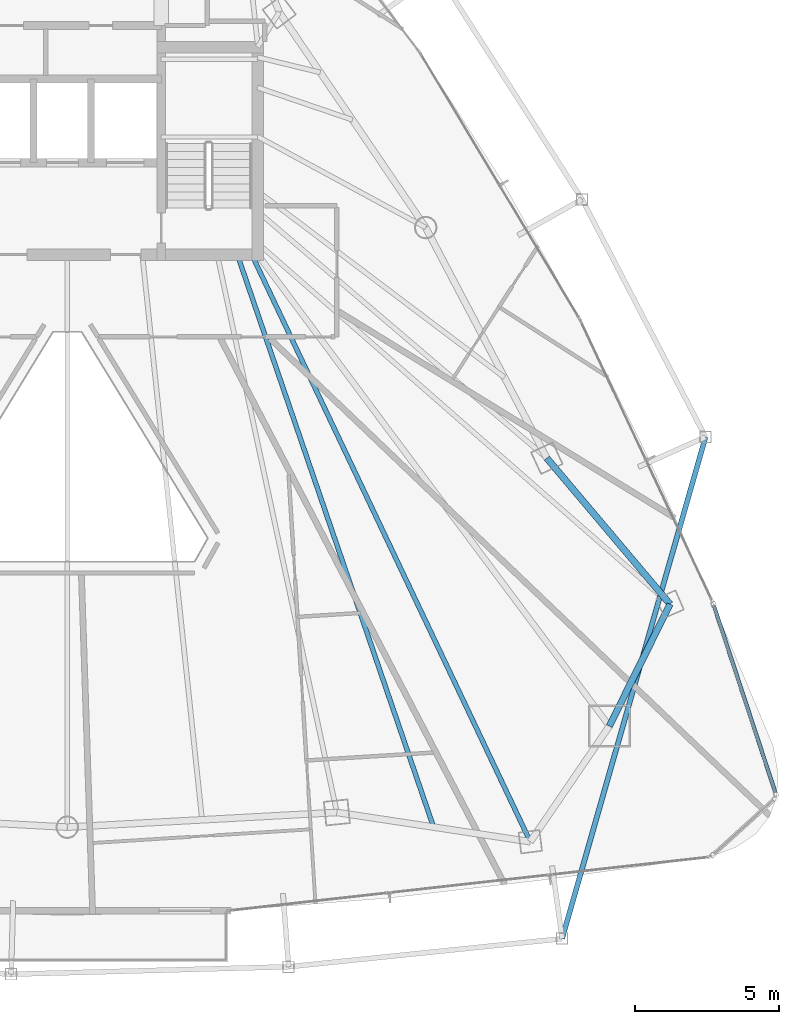
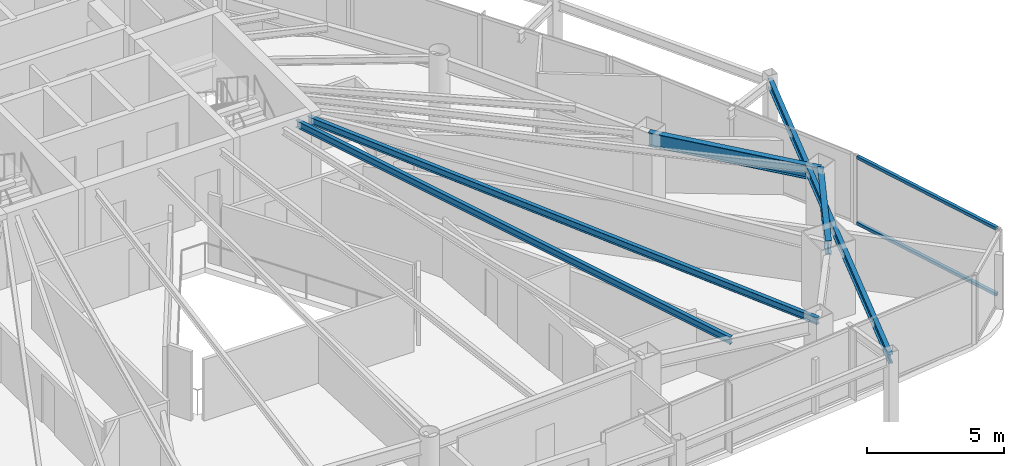
# One storey, part 14 of 29: 5 beams, 2 members, 1 element without a shape of its own.
"""IFC4 building model written with IfcOpenShell, lengths in metres."""

import ifcopenshell
import ifcopenshell.guid

model = None  # the IFC model being written
_history = None  # IfcOwnerHistory: only IFC2X3 demands one
_inside = {}  # id of a spatial element -> (the spatial element, [elements in it])
_under = {}  # id of a project, library or spatial element -> (it, [spatial elements below it])
_declared = {}  # id of a project -> (the project, [libraries it declares])
_typed = {}  # id of a type object -> (the type object, [elements of that type])
_made_of = {}  # id of a material, layer set ... -> (it, [elements and type objects made of it])


def new_model(schema):
    """Start an empty IFC model of exactly this schema.

    Asked for "IFC4X3", IfcOpenShell would pick the latest addendum, in which some entities
    have other attributes; the version numbers below select the first issue.
    IFC2X3 requires an IfcOwnerHistory on every rooted entity: one is made here for all.
    """
    global model, _history
    if schema == "IFC4X3":
        model = ifcopenshell.file(schema_version=(4, 3, 0, 0))
    else:
        model = ifcopenshell.file(schema=schema)
    _inside.clear()
    _under.clear()
    _declared.clear()
    _typed.clear()
    _made_of.clear()
    _history = None
    if model.schema == "IFC2X3":
        org = make("IfcOrganization", Name="unknown")
        user = make(
            "IfcPersonAndOrganization",
            ThePerson=make("IfcPerson", FamilyName="unknown"),
            TheOrganization=org,
        )
        app = make(
            "IfcApplication",
            ApplicationDeveloper=org,
            Version="unknown",
            ApplicationFullName="unknown",
            ApplicationIdentifier="unknown",
        )
        _history = make(
            "IfcOwnerHistory",
            OwningUser=user,
            OwningApplication=app,
            ChangeAction="ADDED",
            CreationDate=0,
        )
    return model


def make(cls, **values):
    """One entity of the class cls with the attributes given. An attribute that is None is left unset."""
    return model.create_entity(
        cls, **{name: value for name, value in values.items() if value is not None}
    )


def rooted(cls, **values):
    """An entity with a GlobalId (a new one), such as an element, a storey or a relation."""
    return make(cls, GlobalId=ifcopenshell.guid.new(), OwnerHistory=_history, **values)


def si_unit(unit_type, name, prefix=None):
    """IfcSIUnit, for example si_unit("LENGTHUNIT", "METRE", prefix="MILLI")."""
    return make("IfcSIUnit", UnitType=unit_type, Prefix=prefix, Name=name)


def assignment(units):
    """IfcUnitAssignment: the units of a project."""
    return None if units is None else make("IfcUnitAssignment", Units=units)


def point(xyz):
    """IfcCartesianPoint."""
    return None if xyz is None else make("IfcCartesianPoint", Coordinates=xyz)


def direction(xyz):
    """IfcDirection."""
    return None if xyz is None else make("IfcDirection", DirectionRatios=xyz)


def frame(location, z_axis=None, x_axis=None):
    """IfcAxis2Placement3D, a coordinate frame: its origin and axes. An axis left out is left unset."""
    return make(
        "IfcAxis2Placement3D",
        Location=point(location),
        Axis=direction(z_axis),
        RefDirection=direction(x_axis),
    )


def frame_2d(location, x_axis=None):
    """IfcAxis2Placement2D, a coordinate frame in the plane: its origin and x axis."""
    return make(
        "IfcAxis2Placement2D", Location=point(location), RefDirection=direction(x_axis)
    )


def origin():
    """The frame at (0, 0, 0) with its axes left unset."""
    return frame((0.0, 0.0, 0.0))


def origin_2d():
    """The frame at (0, 0) in the plane with its x axis left unset."""
    return frame_2d((0.0, 0.0))


def place(relative_to, where):
    """IfcLocalPlacement: puts the frame where relative to a parent placement (None: the world)."""
    return make(
        "IfcLocalPlacement", PlacementRelTo=relative_to, RelativePlacement=where
    )


def context(
    kind, dimensions, precision=None, world=None, true_north=None, identifier=None
):
    """IfcGeometricRepresentationContext, for example the 3D "Model" context."""
    return make(
        "IfcGeometricRepresentationContext",
        ContextIdentifier=identifier,
        ContextType=kind,
        CoordinateSpaceDimension=dimensions,
        Precision=precision,
        WorldCoordinateSystem=world,
        TrueNorth=true_north,
    )


def subcontext(parent, identifier, kind, view, scale=None):
    """IfcGeometricRepresentationSubContext, for example "Body" below "Model"."""
    return make(
        "IfcGeometricRepresentationSubContext",
        ContextIdentifier=identifier,
        ContextType=kind,
        ParentContext=parent,
        TargetScale=scale,
        TargetView=view,
    )


def project(units=None, contexts=None):
    """IfcProject with its units and contexts."""
    return rooted(
        "IfcProject",
        Name="project",
        RepresentationContexts=contexts,
        UnitsInContext=assignment(units),
    )


def spatial(cls, under=None, at=None, **own):
    """A site, building, storey or space (cls), placed at a placement, below another one or the project."""
    s = rooted(cls, ObjectPlacement=at, **own)
    if under is not None:
        _under.setdefault(under.id(), (under, []))[1].append(s)
    return s


def profile(cls, at=None, kind="AREA", **sizes):
    """A parametric profile (cls). Its sizes go by their IFC names, for example OverallWidth=200.0."""
    return make(cls, ProfileType=kind, Position=at, **sizes)


def hollow_rectangle(**sizes):
    """IfcRectangleHollowProfileDef."""
    return profile("IfcRectangleHollowProfileDef", **sizes)


def i_section(**sizes):
    """IfcIShapeProfileDef."""
    return profile("IfcIShapeProfileDef", **sizes)


def extrude(swept, where, along, depth):
    """IfcExtrudedAreaSolid: the profile swept, set in the frame where, extruded along a direction by depth."""
    return make(
        "IfcExtrudedAreaSolid",
        SweptArea=swept,
        Position=where,
        ExtrudedDirection=direction(along),
        Depth=depth,
    )


def shape(context_of_items, identifier, shape_type, items):
    """IfcShapeRepresentation: the items that make up one representation, for example the "Body"."""
    return make(
        "IfcShapeRepresentation",
        ContextOfItems=context_of_items,
        RepresentationIdentifier=identifier,
        RepresentationType=shape_type,
        Items=items,
    )


def material(Name=None, Category=None):
    """IfcMaterial."""
    return make("IfcMaterial", Name=Name, Category=Category)


def layer(
    of_material, thickness, ventilated=None, Name=None, Category=None, Priority=None
):
    """IfcMaterialLayer: one layer of a wall or slab, of a material (None: an air gap)."""
    return make(
        "IfcMaterialLayer",
        Material=of_material,
        LayerThickness=thickness,
        IsVentilated=ventilated,
        Name=Name,
        Category=Category,
        Priority=Priority,
    )


def layer_set(layers, Name=None):
    """IfcMaterialLayerSet."""
    return make("IfcMaterialLayerSet", MaterialLayers=layers, LayerSetName=Name)


def material_profile(
    of_material, cross_section, Name=None, Category=None, Priority=None
):
    """IfcMaterialProfile: a cross section and its material."""
    return make(
        "IfcMaterialProfile",
        Name=Name,
        Material=of_material,
        Profile=cross_section,
        Priority=Priority,
        Category=Category,
    )


def profile_set(profiles, Name=None, composite=None):
    """IfcMaterialProfileSet."""
    return make(
        "IfcMaterialProfileSet",
        Name=Name,
        MaterialProfiles=profiles,
        CompositeProfile=composite,
    )


def made_of(thing, what):
    """Note that an element or type object is made of a material, layer set ...; save() writes the relation."""
    if what is not None:
        _made_of.setdefault(what.id(), (what, []))[1].append(thing)
    return thing


def type_object(cls, material=None, **own):
    """A type object (cls), such as IfcWallType, which elements share."""
    return made_of(rooted(cls, **own), material)


def element(
    cls,
    number,
    at=None,
    inside=None,
    cuts=None,
    type_object=None,
    material=None,
    context=None,
    identifier="Body",
    shape_type=None,
    held_by="IfcProductDefinitionShape",
    body=None,
    shapes=None,
    **own,
):
    """One element of the class cls, such as IfcWall. Its Tag is "e" and its number.

    at: its placement. inside: the storey or other place that contains it. cuts: it is an
    opening in that element (IfcRelVoidsElement). A single representation is given by context,
    identifier, shape_type and body (its items); several are given by shapes. held_by: the class
    of the entity that holds the representations. save() writes the other relations.
    """
    e = rooted(cls, Tag="e%d" % number, ObjectPlacement=at, **own)
    if body is not None:
        shapes = [shape(context, identifier, shape_type, body)]
    if shapes is not None:
        e.Representation = make(held_by, Representations=shapes)
    if inside is not None:
        _inside.setdefault(inside.id(), (inside, []))[1].append(e)
    if cuts is not None:
        rooted(
            "IfcRelVoidsElement", RelatingBuildingElement=cuts, RelatedOpeningElement=e
        )
    if type_object is not None:
        _typed.setdefault(type_object.id(), (type_object, []))[1].append(e)
    return made_of(e, material)


def aggregate(whole, parts):
    """IfcRelAggregates: a whole, such as a stair, and the parts it consists of."""
    return rooted("IfcRelAggregates", RelatingObject=whole, RelatedObjects=parts)


def save(model, path):
    """Write the relations noted so far, then the file.

    IfcRelAggregates (storeys below a building ...), IfcRelContainedInSpatialStructure (elements
    in a storey), IfcRelDefinesByType, IfcRelAssociatesMaterial and IfcRelDeclares: one each for
    every whole, place, type object, material and project.
    """
    for whole, parts in _under.values():
        aggregate(whole, parts)
    for where, things in _inside.values():
        rooted(
            "IfcRelContainedInSpatialStructure",
            RelatedElements=things,
            RelatingStructure=where,
        )
    for kind, things in _typed.values():
        rooted("IfcRelDefinesByType", RelatedObjects=things, RelatingType=kind)
    for what, things in _made_of.values():
        rooted("IfcRelAssociatesMaterial", RelatedObjects=things, RelatingMaterial=what)
    for by, libraries in _declared.values():
        rooted("IfcRelDeclares", RelatingContext=by, RelatedDefinitions=libraries)
    model.write(path)


model = new_model("IFC4")

# Units and contexts
model_context = context("Model", 3, precision=1e-05, world=origin(), true_north=direction((0.0, 1.0)))
body_context = subcontext(model_context, "Body", "Model", "MODEL_VIEW")
ifc_project = project(units=[si_unit("LENGTHUNIT", "METRE"), si_unit("AREAUNIT", "SQUARE_METRE"), si_unit("VOLUMEUNIT", "CUBIC_METRE"), si_unit("PLANEANGLEUNIT", "RADIAN"), si_unit("MASSUNIT", "GRAM", prefix="KILO")], contexts=[model_context])

# Site, building, storey
site_placement = place(None, origin())
site = spatial("IfcSite", under=ifc_project, at=site_placement, CompositionType="ELEMENT")
building_placement = place(site_placement, origin())
building = spatial("IfcBuilding", under=site, at=building_placement, Name="Orvanel Arch Residences", CompositionType="ELEMENT")
storey_placement = place(building_placement, frame((0.0, 0.0, 173.75)))
storey = spatial("IfcBuildingStorey", under=building, at=storey_placement, Name="L49", CompositionType="ELEMENT", Elevation=173.75)

# Beams
ifc_material_1 = material(Name="Structural steel AS/NZS 3679.1 Grade 300 (300 MPa)", Category="steel")
ifc_material_profile_1 = material_profile(ifc_material_1, i_section(OverallWidth=0.1650390625, OverallDepth=0.303955078125, WebThickness=0.006103515625, FlangeThickness=0.01025390625, at=origin_2d()), Name="310UB40.4")
ifc_profile_set_1 = profile_set([ifc_material_profile_1], Name="Structural steel AS/NZS 3679.1 Grade 300 (300 MPa)")
beam_type_1 = type_object("IfcBeamType", Name="BJ-310UB", PredefinedType="JOIST", material=ifc_profile_set_1)
beam_1_placement = place(storey_placement, frame((39.39990234375, 26.699951171875, 2.907958984375), z_axis=(0.428614365266, -0.903487534993, 0.0), x_axis=(0.903487534993, 0.428614365266, 0.0)))
element("IfcBeam", 1, at=beam_1_placement, inside=storey, type_object=beam_type_1, Name="L49 MSE Wing Floor Joist", PredefinedType="JOIST", context=body_context, shape_type="SweptSolid", body=[
    extrude(i_section(OverallWidth=0.1650390625, OverallDepth=0.303955078125, WebThickness=0.006103515625, FlangeThickness=0.01025390625, at=origin_2d()), origin(), (0.0, 0.0, 1.0), 22.535888671875),
])
beam_2_placement = place(storey_placement, frame((38.89990234375, 26.699951171875, 2.907958984375), z_axis=(0.324257108963, -0.945968988544, 0.0), x_axis=(0.945968988544, 0.324257108963, 0.0)))
element("IfcBeam", 2, at=beam_2_placement, inside=storey, type_object=beam_type_1, Name="L49 JADD2 Wing Floor Joist", PredefinedType="JOIST", context=body_context, shape_type="SweptSolid", body=[
    extrude(i_section(OverallWidth=0.1650390625, OverallDepth=0.303955078125, WebThickness=0.006103515625, FlangeThickness=0.01025390625, at=origin_2d()), origin(), (0.0, 0.0, 1.0), 20.987060546875),
])
ifc_material_profile_2 = material_profile(ifc_material_1, i_section(OverallWidth=0.177978515625, OverallDepth=0.406005859375, WebThickness=0.0078125, FlangeThickness=0.0126953125, at=origin_2d()), Name="410UB59.7")
ifc_profile_set_2 = profile_set([ifc_material_profile_2], Name="Structural steel AS/NZS 3679.1 Grade 300 (300 MPa)")
beam_type_2 = type_object("IfcBeamType", Name="OB-410UB-EXT", PredefinedType="SPANDREL", material=ifc_profile_set_2)
beam_3_placement = place(storey_placement, frame((50.1630859375, 2.97705078125, 2.85693359375), z_axis=(0.274812004582, 0.961497978229, 0.0), x_axis=(-0.961497978229, 0.274812004582, 0.0)))
element("IfcBeam", 3, at=beam_3_placement, inside=storey, type_object=beam_type_2, Name="L49 Outer Perimeter Floor Ring Beam 08", PredefinedType="SPANDREL", context=body_context, shape_type="SweptSolid", body=[
    extrude(i_section(OverallWidth=0.177978515625, OverallDepth=0.406005859375, WebThickness=0.0078125, FlangeThickness=0.0126953125, at=origin_2d()), origin(), (0.0, 0.0, 1.0), 18.095703125),
])
ifc_material_profile_3 = material_profile(ifc_material_1, i_section(OverallWidth=0.22900390625, OverallDepth=0.612060546875, WebThickness=0.011962890625, FlangeThickness=0.01953125, at=origin_2d()), Name="610UB125")
ifc_profile_set_3 = profile_set([ifc_material_profile_3], Name="Structural steel AS/NZS 3679.1 Grade 300 (300 MPa)")
beam_type_3 = type_object("IfcBeamType", Name="SP-610UB", PredefinedType="SPANDREL", material=ifc_profile_set_3)
beam_4_placement = place(storey_placement, frame((51.801025390625, 10.35107421875, 2.75390625), z_axis=(0.44543469453, 0.895314432425, 0.0), x_axis=(-0.895314432425, 0.44543469453, 0.0)))
element("IfcBeam", 4, at=beam_4_placement, inside=storey, type_object=beam_type_3, Name="L49 Perimeter Spandrel Beam 09", PredefinedType="SPANDREL", context=body_context, shape_type="SweptSolid", body=[
    extrude(i_section(OverallWidth=0.22900390625, OverallDepth=0.612060546875, WebThickness=0.011962890625, FlangeThickness=0.01953125, at=origin_2d()), origin(), (0.0, 0.0, 1.0), 4.723388671875),
])
beam_5_placement = place(storey_placement, frame((53.905029296875, 14.580078125, 2.75390625), z_axis=(-0.644950329775, 0.764224490659, 0.0), x_axis=(-0.764224490659, -0.644950329775, 0.0)))
element("IfcBeam", 5, at=beam_5_placement, inside=storey, type_object=beam_type_3, Name="L49 Perimeter Spandrel Beam 10", PredefinedType="SPANDREL", context=body_context, shape_type="SweptSolid", body=[
    extrude(i_section(OverallWidth=0.22900390625, OverallDepth=0.612060546875, WebThickness=0.011962890625, FlangeThickness=0.01953125, at=origin_2d()), origin(), (0.0, 0.0, 1.0), 6.623779296875),
])

# Curtain wall, members
ifc_material_2 = material(Name="Bronze-anodised aluminium AA6063-T6", Category="aluminium")
ifc_layer = layer(ifc_material_2, 0.18994140625)
ifc_layer_set = layer_set([ifc_layer], Name="Bronze-anodised aluminium AA6063-T6")
curtain_wall_type = type_object("IfcCurtainWallType", Name="CW5-CRN-SYS", PredefinedType="NOTDEFINED", material=ifc_layer_set)
curtain_wall_placement = place(storey_placement, origin())
curtain_wall = element("IfcCurtainWall", 6, at=curtain_wall_placement, inside=storey, type_object=curtain_wall_type, Name="L49 CW5-CRN-SYS Unitised Curtain Wall", PredefinedType="NOTDEFINED")
ifc_material_profile_4 = material_profile(ifc_material_2, hollow_rectangle(XDim=0.1298828125, YDim=0.1298828125, WallThickness=0.00439453125, at=origin_2d()), Name="ALU130x130x4.5")
ifc_profile_set_4 = profile_set([ifc_material_profile_4], Name="Bronze-anodised aluminium AA6063-T6")
member_type = type_object("IfcMemberType", Name="TRN-130x130", PredefinedType="USERDEFINED", material=ifc_profile_set_4)
member_1_placement = place(storey_placement, frame((57.55517578125, 8.055419921875, 0.06494140625), z_axis=(-0.312420994086, 0.949943746995, 0.0), x_axis=(-0.949943746995, -0.312420994086, 0.0)))
member_1 = element("IfcMember", 7, at=member_1_placement, type_object=member_type, Name="CW-S5 transom 1.1", ObjectType="TRANSOM", PredefinedType="USERDEFINED", context=body_context, shape_type="SweptSolid", body=[
    extrude(hollow_rectangle(XDim=0.1298828125, YDim=0.1298828125, WallThickness=0.00439453125, at=origin_2d()), origin(), (0.0, 0.0, 1.0), 6.796142578125),
])
member_2_placement = place(storey_placement, frame((57.55517578125, 8.055419921875, 2.9951171875), z_axis=(-0.312420994086, 0.949943746995, 0.0), x_axis=(-0.949943746995, -0.312420994086, 0.0)))
member_2 = element("IfcMember", 8, at=member_2_placement, type_object=member_type, Name="CW-S5 transom 1.2", ObjectType="TRANSOM", PredefinedType="USERDEFINED", context=body_context, shape_type="SweptSolid", body=[
    extrude(hollow_rectangle(XDim=0.1298828125, YDim=0.1298828125, WallThickness=0.00439453125, at=origin_2d()), origin(), (0.0, 0.0, 1.0), 6.796142578125),
])
aggregate(curtain_wall, [member_1, member_2])

save(model, "model.ifc")
